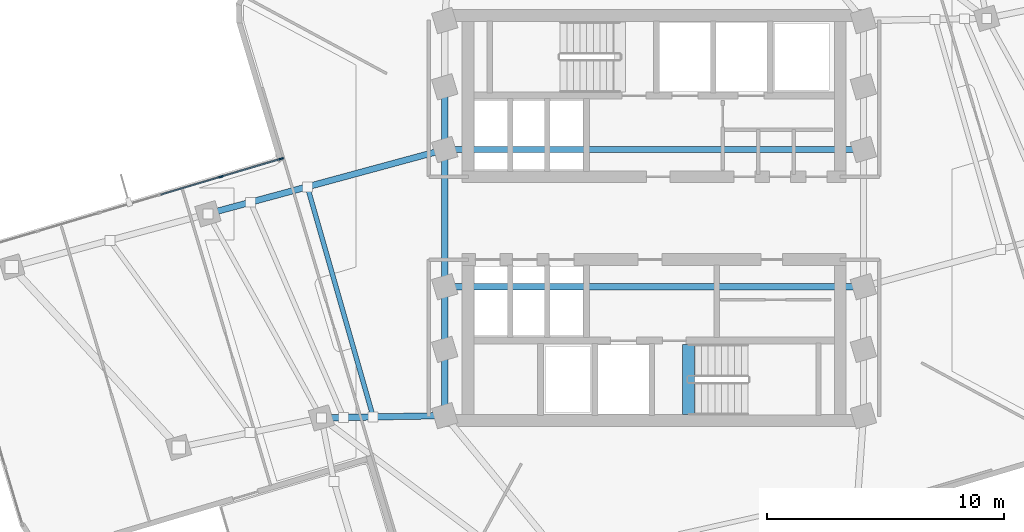
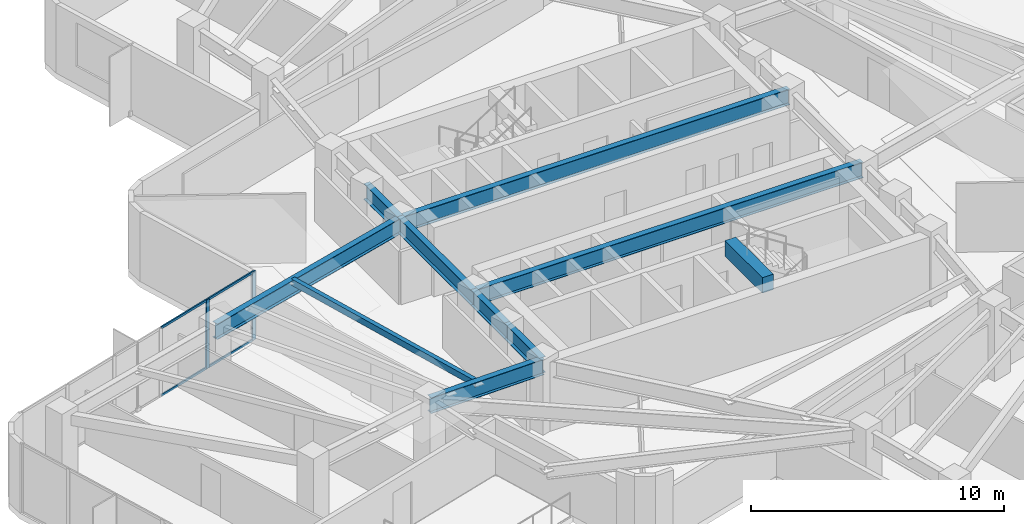
# One storey, part 3 of 11: 10 beams, 6 members, 1 element without a shape of its own.
"""IFC4 building model written with IfcOpenShell, lengths in metres."""

from ifc_helpers import new_model, si_unit, direction, frame, origin, origin_2d, place, context, subcontext, project, spatial, rectangle, hollow_rectangle, i_section, extrude, material, layer, layer_set, material_profile, profile_set, type_object, element, aggregate, save


model = new_model("IFC4")

# Units and contexts
model_context = context("Model", 3, precision=1e-05, world=origin(), true_north=direction((0.0, 1.0)))
body_context = subcontext(model_context, "Body", "Model", "MODEL_VIEW")
ifc_project = project(units=[si_unit("LENGTHUNIT", "METRE"), si_unit("AREAUNIT", "SQUARE_METRE"), si_unit("VOLUMEUNIT", "CUBIC_METRE"), si_unit("PLANEANGLEUNIT", "RADIAN"), si_unit("MASSUNIT", "GRAM", prefix="KILO")], contexts=[model_context])

# Site, building, storey
site_placement = place(None, origin())
site = spatial("IfcSite", under=ifc_project, at=site_placement, CompositionType="ELEMENT")
building_placement = place(site_placement, origin())
building = spatial("IfcBuilding", under=site, at=building_placement, Name="Solmarez Civic Tower", CompositionType="ELEMENT")
storey_placement = place(building_placement, frame((0.0, 0.0, 141.47998046875)))
storey = spatial("IfcBuildingStorey", under=building, at=storey_placement, Name="L37", CompositionType="ELEMENT", Elevation=141.47998046875)

# Beams
ifc_material_1 = material(Name="Steel S355", Category="steel")
ifc_material_profile_1 = material_profile(ifc_material_1, hollow_rectangle(XDim=0.199951171875, YDim=0.300048828125, WallThickness=0.011962890625, at=origin_2d()), Name="HSS300X200X12")
ifc_profile_set_1 = profile_set([ifc_material_profile_1], Name="Steel S355")
beam_type_1 = type_object("IfcBeamType", Name="BM-JS-HSS300X200", PredefinedType="JOIST", material=ifc_profile_set_1)
beam_1_placement = place(storey_placement, frame((-14.656005859375, 1.323974609375, 3.169921875), z_axis=(0.27492825036, -0.961464745664, 0.0), x_axis=(0.961464745664, 0.27492825036, 0.0)))
element("IfcBeam", 1, at=beam_1_placement, inside=storey, type_object=beam_type_1, Name="L37 Secondary Floor Joist JS-L37-WA-M11", PredefinedType="JOIST", context=body_context, shape_type="SweptSolid", body=[
    extrude(hollow_rectangle(XDim=0.199951171875, YDim=0.300048828125, WallThickness=0.011962890625, at=origin_2d()), origin(), (0.0, 0.0, 1.0), 10.118896484375),
])
ifc_material_2 = material(Name="Concrete C50/60", Category="concrete")
ifc_material_profile_2 = material_profile(ifc_material_2, rectangle(XDim=0.5, YDim=0.75, at=origin_2d()), Name="RC500X750")
ifc_profile_set_2 = profile_set([ifc_material_profile_2], Name="Concrete C50/60")
beam_type_2 = type_object("IfcBeamType", Name="BM-PR-RC500X750", PredefinedType="BEAM", material=ifc_profile_set_2)
beam_2_placement = place(storey_placement, frame((1.449951171875, -8.300048828125, 3.23291015625), z_axis=(0.0, 1.0, 0.0), x_axis=(-1.0, 0.0, 0.0)))
element("IfcBeam", 2, at=beam_2_placement, inside=storey, type_object=beam_type_2, Name="L37 South Stair Threshold Beam", PredefinedType="BEAM", context=body_context, shape_type="SweptSolid", body=[
    extrude(rectangle(XDim=0.5, YDim=0.75, at=origin_2d()), origin(), (0.0, 0.0, 1.0), 2.9599609375),
])
ifc_material_profile_3 = material_profile(ifc_material_1, i_section(OverallWidth=0.26708984375, OverallDepth=0.761962890625, WebThickness=0.014404296875, FlangeThickness=0.021484375, at=origin_2d()), Name="W30X116")
ifc_profile_set_3 = profile_set([ifc_material_profile_3], Name="Steel S355")
beam_type_3 = type_object("IfcBeamType", Name="BM-PR-W30X116", PredefinedType="BEAM", material=ifc_profile_set_3)
beam_3_placement = place(storey_placement, frame((-8.85009765625, -8.35009765625, 2.93896484375), z_axis=(0.0, 1.0, 0.0), x_axis=(-1.0, 0.0, 0.0)))
element("IfcBeam", 3, at=beam_3_placement, inside=storey, type_object=beam_type_3, Name="L37 Primary Floor Beam BM-L37-HC12-HC1", PredefinedType="BEAM", context=body_context, shape_type="SweptSolid", body=[
    extrude(i_section(OverallWidth=0.26708984375, OverallDepth=0.761962890625, WebThickness=0.014404296875, FlangeThickness=0.021484375, at=origin_2d()), origin(), (0.0, 0.0, 1.0), 2.800048828125),
])
beam_4_placement = place(storey_placement, frame((-8.85009765625, -5.550048828125, 2.93896484375), z_axis=(0.0, 1.0, 0.0), x_axis=(-1.0, 0.0, 0.0)))
element("IfcBeam", 4, at=beam_4_placement, inside=storey, type_object=beam_type_3, Name="L37 Primary Floor Beam BM-L37-HC1-HC2", PredefinedType="BEAM", context=body_context, shape_type="SweptSolid", body=[
    extrude(i_section(OverallWidth=0.26708984375, OverallDepth=0.761962890625, WebThickness=0.014404296875, FlangeThickness=0.021484375, at=origin_2d()), origin(), (0.0, 0.0, 1.0), 2.650146484375),
])
beam_5_placement = place(storey_placement, frame((-8.85009765625, -2.89990234375, 2.93896484375), z_axis=(0.0, 1.0, 0.0), x_axis=(-1.0, 0.0, 0.0)))
element("IfcBeam", 5, at=beam_5_placement, inside=storey, type_object=beam_type_3, Name="L37 Primary Floor Beam BM-L37-HC2-HC3", PredefinedType="BEAM", context=body_context, shape_type="SweptSolid", body=[
    extrude(i_section(OverallWidth=0.26708984375, OverallDepth=0.761962890625, WebThickness=0.014404296875, FlangeThickness=0.021484375, at=origin_2d()), origin(), (0.0, 0.0, 1.0), 5.7998046875),
])
beam_6_placement = place(storey_placement, frame((-8.85009765625, 2.89990234375, 2.93896484375), z_axis=(0.0, 1.0, 0.0), x_axis=(-1.0, 0.0, 0.0)))
element("IfcBeam", 6, at=beam_6_placement, inside=storey, type_object=beam_type_3, Name="L37 Primary Floor Beam BM-L37-HC3-HC4", PredefinedType="BEAM", context=body_context, shape_type="SweptSolid", body=[
    extrude(i_section(OverallWidth=0.26708984375, OverallDepth=0.761962890625, WebThickness=0.014404296875, FlangeThickness=0.021484375, at=origin_2d()), origin(), (0.0, 0.0, 1.0), 2.650146484375),
])
for number, where, z_axis, x_axis, name in (
    (7, (-8.85009765625, -2.89990234375, 2.93896484375), (1.0, 0.0, 0.0), (0.0, 1.0, 0.0), "L37 Primary Floor Beam BM-L37-HC2-HC6"),
    (8, (-8.85009765625, 2.89990234375, 2.93896484375), (1.0, 0.0, 0.0), (0.0, 1.0, 0.0), "L37 Primary Floor Beam BM-L37-HC3-HC7"),
):
    element("IfcBeam", number, at=place(storey_placement, frame(where, z_axis=z_axis, x_axis=x_axis)), inside=storey, type_object=beam_type_3, Name=name, PredefinedType="BEAM", context=body_context, shape_type="SweptSolid", body=[
        extrude(i_section(OverallWidth=0.26708984375, OverallDepth=0.761962890625, WebThickness=0.014404296875, FlangeThickness=0.021484375, at=origin_2d()), origin(), (0.0, 0.0, 1.0), 17.7001953125),
    ])
beam_7_placement = place(storey_placement, frame((-8.85009765625, 2.89990234375, 2.93896484375), z_axis=(-0.965086289853, -0.261932153691, 0.0), x_axis=(0.261932153691, -0.965086289853, 0.0)))
element("IfcBeam", 9, at=beam_7_placement, inside=storey, type_object=beam_type_3, Name="L37 Primary Floor Beam BM-L37-WA-R1A", PredefinedType="BEAM", context=body_context, shape_type="SweptSolid", body=[
    extrude(i_section(OverallWidth=0.26708984375, OverallDepth=0.761962890625, WebThickness=0.014404296875, FlangeThickness=0.021484375, at=origin_2d()), origin(), (0.0, 0.0, 1.0), 10.3720703125),
])
beam_8_placement = place(storey_placement, frame((-8.85009765625, -8.35009765625, 2.93896484375), z_axis=(-0.999834147765, -0.018212000538, 0.0), x_axis=(0.018212000538, -0.999834147765, 0.0)))
element("IfcBeam", 10, at=beam_8_placement, inside=storey, type_object=beam_type_3, Name="L37 Primary Floor Beam BM-L37-WA-R1B", PredefinedType="BEAM", context=body_context, shape_type="SweptSolid", body=[
    extrude(i_section(OverallWidth=0.26708984375, OverallDepth=0.761962890625, WebThickness=0.014404296875, FlangeThickness=0.021484375, at=origin_2d()), origin(), (0.0, 0.0, 1.0), 5.21484375),
])

# Curtain wall, members
ifc_material_3 = material(Name="Bronze Anodised Aluminium EN AW-6063 T6", Category="aluminium")
ifc_layer = layer(ifc_material_3, 0.155029296875)
ifc_layer_set = layer_set([ifc_layer], Name="Bronze Anodised Aluminium EN AW-6063 T6")
curtain_wall_type = type_object("IfcCurtainWallType", Name="CW-SYS-6", PredefinedType="NOTDEFINED", material=ifc_layer_set)
curtain_wall_placement = place(storey_placement, origin())
curtain_wall = element("IfcCurtainWall", 11, at=curtain_wall_placement, inside=storey, type_object=curtain_wall_type, Name="L37 Stick-Built Curtain Wall 2", PredefinedType="NOTDEFINED")
ifc_material_profile_4 = material_profile(ifc_material_3, rectangle(XDim=0.070068359375, YDim=0.179931640625, at=origin_2d()), Name="CWM-70X180")
ifc_profile_set_4 = profile_set([ifc_material_profile_4], Name="Bronze Anodised Aluminium EN AW-6063 T6")
member_type_1 = type_object("IfcMemberType", Name="CWM-TYPE-2", PredefinedType="MULLION", material=ifc_profile_set_4)
member_1_placement = place(storey_placement, frame((-18.3076171875, 1.752197265625, 0.0), z_axis=(0.0, 0.0, 1.0), x_axis=(-0.285615980492, 0.958344150964, 0.0)))
member_1 = element("IfcMember", 12, at=member_1_placement, type_object=member_type_1, Name="CWS6 mullion 5", PredefinedType="MULLION", context=body_context, shape_type="SweptSolid", body=[
    extrude(rectangle(XDim=0.070068359375, YDim=0.179931640625, at=origin_2d()), origin(), (0.0, 0.0, 1.0), 3.320068359375),
])
member_2_placement = place(storey_placement, frame((-15.761474609375, 2.510986328125, 0.0), z_axis=(0.0, 0.0, 1.0), x_axis=(-0.285615980492, 0.958344150964, 0.0)))
member_2 = element("IfcMember", 13, at=member_2_placement, type_object=member_type_1, Name="CWS6 mullion 6", PredefinedType="MULLION", context=body_context, shape_type="SweptSolid", body=[
    extrude(rectangle(XDim=0.070068359375, YDim=0.179931640625, at=origin_2d()), origin(), (0.0, 0.0, 1.0), 3.320068359375),
])
ifc_material_profile_5 = material_profile(ifc_material_3, rectangle(XDim=0.06005859375, YDim=0.110107421875, at=origin_2d()), Name="CWT-60X110")
ifc_profile_set_5 = profile_set([ifc_material_profile_5], Name="Bronze Anodised Aluminium EN AW-6063 T6")
member_type_2 = type_object("IfcMemberType", Name="CWT-TYPE-3", PredefinedType="USERDEFINED", material=ifc_profile_set_5)
member_3_placement = place(storey_placement, frame((-20.853759765625, 0.993408203125, 0.030029296875), z_axis=(0.958352612172, 0.285587588567, 0.0), x_axis=(-0.285587588567, 0.958352612172, 0.0)))
member_3 = element("IfcMember", 14, at=member_3_placement, type_object=member_type_2, Name="CWS6 transom 4.1", ObjectType="TRANSOM", PredefinedType="USERDEFINED", context=body_context, shape_type="SweptSolid", body=[
    extrude(rectangle(XDim=0.06005859375, YDim=0.110107421875, at=origin_2d()), origin(), (0.0, 0.0, 1.0), 2.621826171875),
])
member_4_placement = place(storey_placement, frame((-20.853759765625, 0.993408203125, 3.2900390625), z_axis=(0.958352612172, 0.285587588567, 0.0), x_axis=(-0.285587588567, 0.958352612172, 0.0)))
member_4 = element("IfcMember", 15, at=member_4_placement, type_object=member_type_2, Name="CWS6 transom 4.2", ObjectType="TRANSOM", PredefinedType="USERDEFINED", context=body_context, shape_type="SweptSolid", body=[
    extrude(rectangle(XDim=0.06005859375, YDim=0.110107421875, at=origin_2d()), origin(), (0.0, 0.0, 1.0), 2.621826171875),
])
member_5_placement = place(storey_placement, frame((-18.274169921875, 1.76220703125, 0.030029296875), z_axis=(0.958349414535, 0.28559831873, 0.0), x_axis=(-0.28559831873, 0.958349414535, 0.0)))
member_5 = element("IfcMember", 16, at=member_5_placement, type_object=member_type_2, Name="CWS6 transom 5.1", ObjectType="TRANSOM", PredefinedType="USERDEFINED", context=body_context, shape_type="SweptSolid", body=[
    extrude(rectangle(XDim=0.06005859375, YDim=0.110107421875, at=origin_2d()), origin(), (0.0, 0.0, 1.0), 2.586669921875),
])
member_6_placement = place(storey_placement, frame((-18.274169921875, 1.76220703125, 3.2900390625), z_axis=(0.958349414535, 0.28559831873, 0.0), x_axis=(-0.28559831873, 0.958349414535, 0.0)))
member_6 = element("IfcMember", 17, at=member_6_placement, type_object=member_type_2, Name="CWS6 transom 5.2", ObjectType="TRANSOM", PredefinedType="USERDEFINED", context=body_context, shape_type="SweptSolid", body=[
    extrude(rectangle(XDim=0.06005859375, YDim=0.110107421875, at=origin_2d()), origin(), (0.0, 0.0, 1.0), 2.586669921875),
])
aggregate(curtain_wall, [member_1, member_2, member_3, member_4, member_5, member_6])

save(model, "model.ifc")
